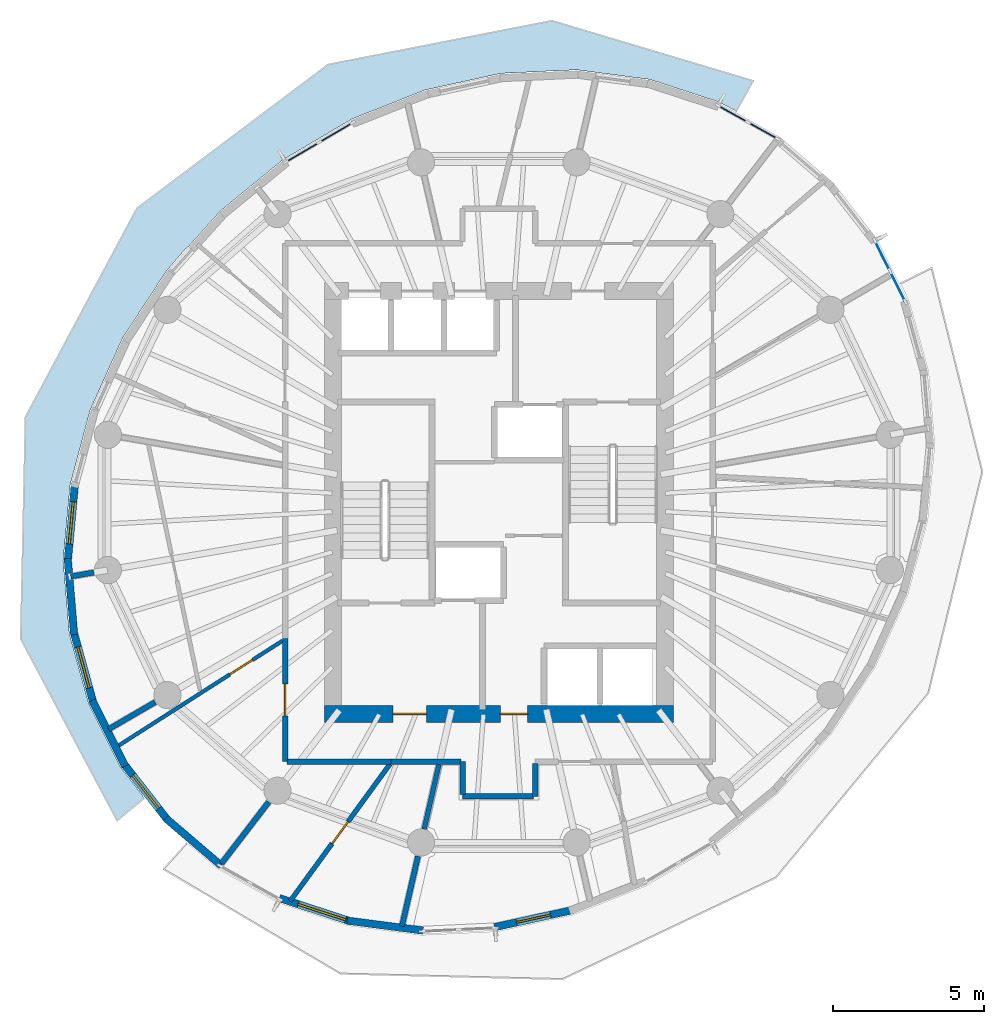
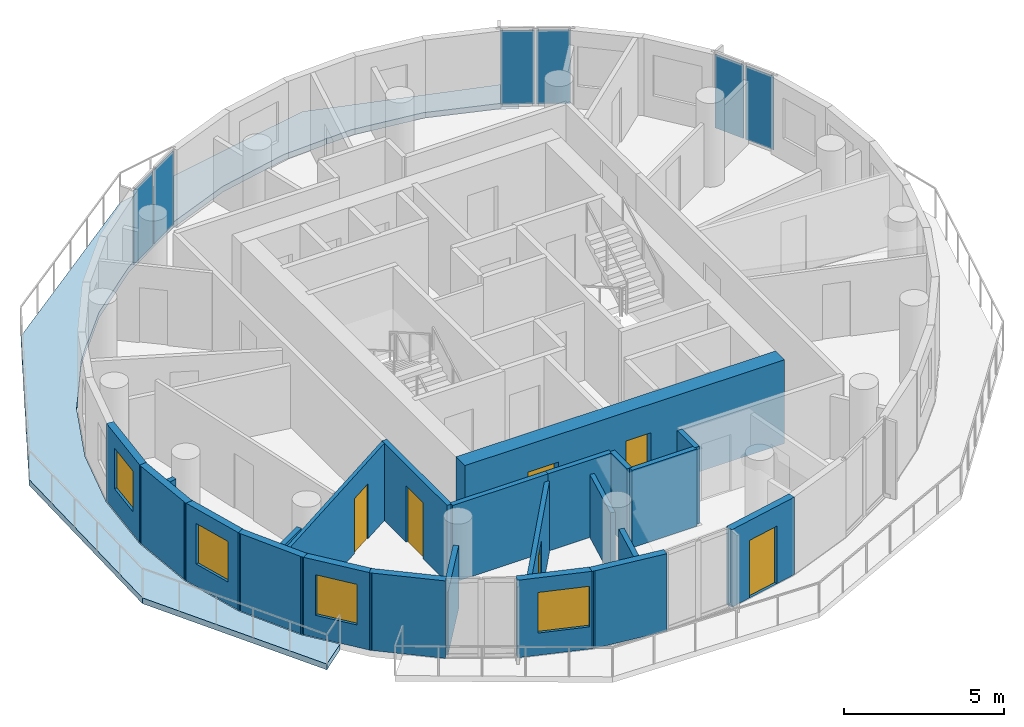
# One storey, part 4 of 10: 23 walls, 6 doors, 6 plates, 4 windows, 1 slab, 10 openings, 3 elements without a shape of their own.
"""IFC4 building model written with IfcOpenShell, lengths in metres."""

from ifc_helpers import new_model, si_unit, direction, frame, frame_2d, origin, origin_2d, place, context, subcontext, project, spatial, polyline, rectangle, outline, extrude, material, layer, layer_set, type_object, element, fill, aggregate, save


model = new_model("IFC4")

# Units and contexts
model_context = context("Model", 3, precision=1e-05, world=origin(), true_north=direction((0.0, 1.0)))
body_context = subcontext(model_context, "Body", "Model", "MODEL_VIEW")
ifc_project = project(units=[si_unit("LENGTHUNIT", "METRE"), si_unit("AREAUNIT", "SQUARE_METRE"), si_unit("VOLUMEUNIT", "CUBIC_METRE"), si_unit("PLANEANGLEUNIT", "RADIAN"), si_unit("MASSUNIT", "GRAM", prefix="KILO")], contexts=[model_context])

# Site, building, storey
site_placement = place(None, origin())
site = spatial("IfcSite", under=ifc_project, at=site_placement, CompositionType="ELEMENT")
building_placement = place(site_placement, origin())
building = spatial("IfcBuilding", under=site, at=building_placement, Name="Veldorim Arch Residences", CompositionType="ELEMENT")
storey_placement = place(building_placement, frame((0.0, 0.0, 179.0400390625)))
storey = spatial("IfcBuildingStorey", under=building, at=storey_placement, Name="L53", CompositionType="ELEMENT", Elevation=179.0400390625)

# Slab
ifc_material_1 = material(Name="Concrete C40/50", Category="concrete")
ifc_layer_1 = layer(ifc_material_1, 0.219970703125, Name="Planted Crescent Cantilever Balcony Slab 220")
ifc_layer_set_1 = layer_set([ifc_layer_1], Name="Concrete C40/50")
slab_type = type_object("IfcSlabType", Name="Planted Crescent Cantilever Balcony Slab 220", PredefinedType="FLOOR", material=ifc_layer_set_1)
slab_placement = place(storey_placement, frame((0.0, 0.0, -0.219970703125)))
element("IfcSlab", 1, at=slab_placement, inside=storey, type_object=slab_type, Name="L53 planted crescent balcony slab A", PredefinedType="FLOOR", context=body_context, shape_type="SweptSolid", body=[
    extrude(outline(polyline([(39.86279296875, 36.956298828125), (39.275146484375, 37.260009765625), (37.001220703125, 38.00390625), (34.575439453125, 38.322265625), (33.7724609375, 38.284912109375), (33.6787109375, 38.30517578125), (33.556640625, 38.274658203125), (32.071533203125, 38.205322265625), (29.565673828125, 37.65673828125), (27.134033203125, 36.693359375), (24.85009765625, 35.3447265625), (22.783447265625, 33.651123046875), (21.719482421875, 32.46826171875), (21.622802734375, 32.393310546875), (20.99658203125, 31.664794921875), (19.544189453125, 29.445556640625), (18.469970703125, 27.060791015625), (17.806396484375, 24.582763671875), (17.57421875, 22.087158203125), (17.780517578125, 19.649169921875), (18.4189453125, 17.343505859375), (19.47021484375, 15.23974609375), (20.19482421875, 14.309814453125), (20.247314453125, 14.18994140625), (19.357177734375, 13.4619140625), (16.16650390625, 19.47705078125), (16.323974609375, 26.832275390625), (20.01220703125, 33.740966796875), (26.34228515625, 38.499267578125), (33.7568359375, 39.950927734375), (40.422607421875, 37.9609375), (39.86279296875, 36.956298828125)])), origin(), (0.0, 0.0, 1.0), 0.219970703125),
])

# Curtain wall, plates
ifc_material_2 = material(Name="Aluminium", Category="aluminium")
curtain_wall_type = type_object("IfcCurtainWallType", Name="Zone 4 High-Altitude Unitised Curtain Wall", PredefinedType="NOTDEFINED", material=ifc_material_2)
curtain_wall_1_placement = place(storey_placement, origin())
curtain_wall_1 = element("IfcCurtainWall", 2, at=curtain_wall_1_placement, inside=storey, type_object=curtain_wall_type, Name="L53 unitised curtain wall bay 02", PredefinedType="NOTDEFINED")
ifc_material_3 = material(Name="Laminated Low-E Glass", Category="glass")
ifc_layer_2 = layer(ifc_material_3, 0.030029296875, Name="Zone 4 High-Altitude Unitised Curtain Wall Glazing Panel 30")
ifc_layer_set_2 = layer_set([ifc_layer_2], Name="Laminated Low-E Glass")
plate_type = type_object("IfcPlateType", Name="Zone 4 High-Altitude Unitised Curtain Wall Glazing Panel 30", PredefinedType="CURTAIN_PANEL", material=ifc_layer_set_2)
plate_1_placement = place(storey_placement, frame((39.749755859375, 36.86328125, 0.074951171875), z_axis=(0.0, 0.0, 1.0), x_axis=(0.872990977539, -0.487736356175, 0.0)))
plate_1 = element("IfcPlate", 3, at=plate_1_placement, type_object=plate_type, Name="CW-Z4 panel 1.1", PredefinedType="CURTAIN_PANEL", context=body_context, shape_type="SweptSolid", body=[
    extrude(rectangle(XDim=1.060791015625, YDim=0.030029296875, at=origin_2d()), origin(), (0.0, 0.0, 1.0), 2.81005859375),
])
plate_2_placement = place(storey_placement, frame((40.741455078125, 36.30908203125, 0.074951171875), z_axis=(0.0, 0.0, 1.0), x_axis=(0.872990977539, -0.487736356175, 0.0)))
plate_2 = element("IfcPlate", 4, at=plate_2_placement, type_object=plate_type, Name="CW-Z4 panel 2.1", PredefinedType="CURTAIN_PANEL", context=body_context, shape_type="SweptSolid", body=[
    extrude(rectangle(XDim=1.060791015625, YDim=0.030029296875, at=origin_2d()), origin(), (0.0, 0.0, 1.0), 2.81005859375),
])
aggregate(curtain_wall_1, [plate_1, plate_2])

curtain_wall_2_placement = place(storey_placement, origin())
curtain_wall_2 = element("IfcCurtainWall", 5, at=curtain_wall_2_placement, inside=storey, type_object=curtain_wall_type, Name="L53 unitised curtain wall bay 08", PredefinedType="NOTDEFINED")
plate_3_placement = place(storey_placement, frame((25.49658203125, 35.5927734375, 0.074951171875), z_axis=(0.0, 0.0, 1.0), x_axis=(0.861053534494, 0.508514317139, 0.0)))
plate_3 = element("IfcPlate", 6, at=plate_3_placement, type_object=plate_type, Name="CW-Z4 panel 1.1", PredefinedType="CURTAIN_PANEL", context=body_context, shape_type="SweptSolid", body=[
    extrude(rectangle(XDim=1.211669921875, YDim=0.030029296875, at=origin_2d()), origin(), (0.0, 0.0, 1.0), 2.81005859375),
])
plate_4_placement = place(storey_placement, frame((26.6044921875, 36.2470703125, 0.074951171875), z_axis=(0.0, 0.0, 1.0), x_axis=(0.861053534494, 0.508514317139, 0.0)))
plate_4 = element("IfcPlate", 7, at=plate_4_placement, type_object=plate_type, Name="CW-Z4 panel 2.1", PredefinedType="CURTAIN_PANEL", context=body_context, shape_type="SweptSolid", body=[
    extrude(rectangle(XDim=1.211669921875, YDim=0.030029296875, at=origin_2d()), origin(), (0.0, 0.0, 1.0), 2.81005859375),
])
aggregate(curtain_wall_2, [plate_3, plate_4])

curtain_wall_3_placement = place(storey_placement, origin())
curtain_wall_3 = element("IfcCurtainWall", 8, at=curtain_wall_3_placement, inside=storey, type_object=curtain_wall_type, Name="L53 unitised curtain wall bay 35", PredefinedType="NOTDEFINED")
plate_5_placement = place(storey_placement, frame((44.69873046875, 32.1650390625, 0.074951171875), z_axis=(0.0, 0.0, 1.0), x_axis=(0.446992003276, -0.894537952804, 0.0)))
plate_5 = element("IfcPlate", 9, at=plate_5_placement, type_object=plate_type, Name="CW-Z4 panel 1.1", PredefinedType="CURTAIN_PANEL", context=body_context, shape_type="SweptSolid", body=[
    extrude(rectangle(XDim=1.060791015625, YDim=0.030029296875, at=origin_2d()), origin(), (0.0, 0.0, 1.0), 2.81005859375),
])
plate_6_placement = place(storey_placement, frame((45.20654296875, 31.14892578125, 0.074951171875), z_axis=(0.0, 0.0, 1.0), x_axis=(0.446992003276, -0.894537952804, 0.0)))
plate_6 = element("IfcPlate", 10, at=plate_6_placement, type_object=plate_type, Name="CW-Z4 panel 2.1", PredefinedType="CURTAIN_PANEL", context=body_context, shape_type="SweptSolid", body=[
    extrude(rectangle(XDim=1.060791015625, YDim=0.030029296875, at=origin_2d()), origin(), (0.0, 0.0, 1.0), 2.81005859375),
])
aggregate(curtain_wall_3, [plate_5, plate_6])

# Wall, opening, door
ifc_material_4 = material(Name="Acoustic Gypsum Board", Category="gypsum")
ifc_layer_3 = layer(ifc_material_4, 0.125, Name="Acoustic Stud Room Partition Wall 125")
ifc_layer_set_3 = layer_set([ifc_layer_3], Name="Acoustic Gypsum Board")
wall_type_1 = type_object("IfcWallType", Name="Acoustic Stud Room Partition Wall 125", PredefinedType="PARTITIONING", material=ifc_layer_set_3)
wall_1_placement = place(storey_placement, frame((19.326416015625, 15.896240234375, 0.0), z_axis=(0.0, 0.0, 1.0), x_axis=(0.842495759882, 0.538702974357, 0.0)))
wall_1 = element("IfcWall", 11, at=wall_1_placement, inside=storey, type_object=wall_type_1, Name="L53 interior wall WL-RES-L53-031", PredefinedType="PARTITIONING", context=body_context, shape_type="SweptSolid", body=[
    extrude(rectangle(XDim=6.539306640625, YDim=0.125, at=frame_2d((3.26953125, 0.0))), origin(), (0.0, 0.0, 1.0), 2.955078125),
])
opening_1_placement = place(wall_1_placement, frame((4.469482421875, 0.0, 0.0)))
opening_1 = element("IfcOpeningElement", 12, at=opening_1_placement, cuts=wall_1, Name="Opening DR-INT", PredefinedType="OPENING", context=body_context, shape_type="SweptSolid", body=[
    extrude(rectangle(XDim=0.89990234375, YDim=2.10009765625, at=frame_2d((0.449951171875, 1.050048828125))), frame((0.0, 0.072509765625, 0.0), z_axis=(0.0, -1.0, 0.0), x_axis=(1.0, 0.0, 0.0)), (0.0, 0.0, 1.0), 0.14501953125),
])
ifc_material_5 = material(Name="Engineered Timber", Category="wood")
door_type_1 = type_object("IfcDoorType", Name="Apartment Internal Room Timber Door 900x2100", OperationType="SINGLE_SWING_LEFT", PredefinedType="DOOR", material=ifc_material_5)
door_1_placement = place(opening_1_placement, origin())
door_1 = element("IfcDoor", 13, at=door_1_placement, inside=storey, type_object=door_type_1, Name="L53 interior door DR-RES-L53-016", OperationType="SINGLE_SWING_RIGHT", OverallHeight=2.10009765625, OverallWidth=0.89990234375, PredefinedType="DOOR", context=body_context, shape_type="SweptSolid", body=[
    extrude(rectangle(XDim=0.89990234375, YDim=2.10009765625, at=frame_2d((0.449951171875, 1.050048828125))), frame((0.0, 0.02490234375, 0.0), z_axis=(0.0, -1.0, 0.0), x_axis=(1.0, 0.0, 0.0)), (0.0, 0.0, 1.0), 0.050048828125),
])
fill(opening_1, door_1)

# Walls
ifc_material_6 = material(Name="Lightweight Masonry Block & Gypsum", Category="masonry")
ifc_layer_4 = layer(ifc_material_6, 0.179931640625, Name="Compartment & Corridor Fire-Rated Party Wall 180")
ifc_layer_set_4 = layer_set([ifc_layer_4], Name="Lightweight Masonry Block & Gypsum")
wall_type_2 = type_object("IfcWallType", Name="Compartment & Corridor Fire-Rated Party Wall 180", PredefinedType="PARTITIONING", material=ifc_layer_set_4)
wall_2_placement = place(storey_placement, frame((18.590576171875, 21.680419921875, 0.0), z_axis=(0.0, 0.0, 1.0), x_axis=(-0.985363715758, -0.170465092225, 0.0)))
element("IfcWall", 14, at=wall_2_placement, inside=storey, type_object=wall_type_2, Name="L53 interior wall WL-PIER-L53-09", PredefinedType="PARTITIONING", context=body_context, shape_type="SweptSolid", body=[
    extrude(rectangle(XDim=0.7763671875, YDim=0.179931640625, at=frame_2d((0.38818359375, 0.0))), origin(), (0.0, 0.0, 1.0), 2.4033203125),
])
wall_3_placement = place(storey_placement, frame((20.6181640625, 17.385986328125, 0.0), z_axis=(0.0, 0.0, 1.0), x_axis=(-0.86456661279, -0.502518230563, 0.0)))
element("IfcWall", 15, at=wall_3_placement, inside=storey, type_object=wall_type_2, Name="L53 interior wall WL-PIER-L53-10", PredefinedType="PARTITIONING", context=body_context, shape_type="SweptSolid", body=[
    extrude(rectangle(XDim=1.784912109375, YDim=0.179931640625, at=frame_2d((0.892578125, 0.0))), origin(), (0.0, 0.0, 1.0), 2.4033203125),
])
wall_4_placement = place(storey_placement, frame((24.380126953125, 14.08203125, 0.0), z_axis=(0.0, 0.0, 1.0), x_axis=(-0.609164681512, -0.793043750873, 0.0)))
element("IfcWall", 16, at=wall_4_placement, inside=storey, type_object=wall_type_2, Name="L53 interior wall WL-PIER-L53-11", PredefinedType="PARTITIONING", context=body_context, shape_type="SweptSolid", body=[
    extrude(rectangle(XDim=2.57177734375, YDim=0.179931640625, at=frame_2d((1.285888671875, 0.0))), origin(), (0.0, 0.0, 1.0), 2.4033203125),
])
wall_5_placement = place(storey_placement, frame((29.320068359375, 12.282470703125, 0.0), z_axis=(0.0, 0.0, 1.0), x_axis=(-0.223011847659, -0.974815734282, 0.0)))
element("IfcWall", 17, at=wall_5_placement, inside=storey, type_object=wall_type_2, Name="L53 interior wall WL-PIER-L53-12", PredefinedType="PARTITIONING", context=body_context, shape_type="SweptSolid", body=[
    extrude(rectangle(XDim=2.37451171875, YDim=0.179931640625, at=frame_2d((1.187255859375, 0.0))), origin(), (0.0, 0.0, 1.0), 2.4033203125),
])
wall_6_placement = place(storey_placement, frame((33.199951171875, 15.360107421875, 0.0), z_axis=(0.0, 0.0, 1.0), x_axis=(0.0, -1.0, 0.0)))
element("IfcWall", 18, at=wall_6_placement, inside=storey, type_object=wall_type_2, Name="L53 interior wall WL-RES-L53-002", PredefinedType="PARTITIONING", context=body_context, shape_type="SweptSolid", body=[
    extrude(rectangle(XDim=1.090087890625, YDim=0.179931640625, at=frame_2d((0.544921875, 0.0))), origin(), (0.0, 0.0, 1.0), 2.955078125),
])
wall_7_placement = place(storey_placement, frame((33.139892578125, 14.27001953125, 0.0), z_axis=(0.0, 0.0, 1.0), x_axis=(-1.0, 0.0, 0.0)))
element("IfcWall", 19, at=wall_7_placement, inside=storey, type_object=wall_type_2, Name="L53 interior wall WL-RES-L53-003", PredefinedType="PARTITIONING", context=body_context, shape_type="SweptSolid", body=[
    extrude(rectangle(XDim=2.33984375, YDim=0.179931640625, at=frame_2d((1.169921875, 0.0))), origin(), (0.0, 0.0, 1.0), 2.955078125),
])
wall_8_placement = place(storey_placement, frame((30.800048828125, 14.330078125, 0.0), z_axis=(0.0, 0.0, 1.0), x_axis=(0.0, 1.0, 0.0)))
element("IfcWall", 20, at=wall_8_placement, inside=storey, type_object=wall_type_2, Name="L53 interior wall WL-RES-L53-004", PredefinedType="PARTITIONING", context=body_context, shape_type="SweptSolid", body=[
    extrude(rectangle(XDim=1.08984375, YDim=0.179931640625, at=frame_2d((0.544921875, 0.0))), origin(), (0.0, 0.0, 1.0), 2.955078125),
])
wall_9_placement = place(storey_placement, frame((30.739990234375, 15.419921875, 0.0), z_axis=(0.0, 0.0, 1.0), x_axis=(-1.0, 0.0, 0.0)))
element("IfcWall", 21, at=wall_9_placement, inside=storey, type_object=wall_type_2, Name="L53 interior wall WL-RES-L53-005", PredefinedType="PARTITIONING", context=body_context, shape_type="SweptSolid", body=[
    extrude(rectangle(XDim=2.309326171875, YDim=0.179931640625, at=frame_2d((1.15478515625, 0.0))), origin(), (0.0, 0.0, 1.0), 2.955078125),
])

# Wall, opening, door
wall_10_placement = place(storey_placement, frame((24.919921875, 15.419921875, 0.0), z_axis=(0.0, 0.0, 1.0), x_axis=(0.0, 1.0, 0.0)))
wall_10 = element("IfcWall", 22, at=wall_10_placement, inside=storey, type_object=wall_type_2, Name="L53 interior wall WL-RES-L53-014", PredefinedType="PARTITIONING", context=body_context, shape_type="SweptSolid", body=[
    extrude(rectangle(XDim=4.072998046875, YDim=0.179931640625, at=frame_2d((2.03662109375, 0.0))), origin(), (0.0, 0.0, 1.0), 2.955078125),
])
opening_2_placement = place(wall_10_placement, frame((1.511474609375, 0.0, 0.0)))
opening_2 = element("IfcOpeningElement", 23, at=opening_2_placement, cuts=wall_10, Name="Opening DR-FLT", PredefinedType="OPENING", context=body_context, shape_type="SweptSolid", body=[
    extrude(rectangle(XDim=1.050048828125, YDim=2.14990234375, at=frame_2d((0.52490234375, 1.074951171875))), frame((0.0, 0.099853515625, 0.0), z_axis=(0.0, -1.0, 0.0), x_axis=(1.0, 0.0, 0.0)), (0.0, 0.0, 1.0), 0.199951171875),
])
ifc_material_7 = material(Name="Fire-Rated Timber", Category="wood")
door_type_2 = type_object("IfcDoorType", Name="Apartment Entrance Solid-Core Fire Door 1050x2150", OperationType="SINGLE_SWING_LEFT", PredefinedType="DOOR", material=ifc_material_7)
door_2_placement = place(opening_2_placement, origin())
door_2 = element("IfcDoor", 24, at=door_2_placement, inside=storey, type_object=door_type_2, Name="L53 interior door DR-RES-L53-014", OperationType="SINGLE_SWING_RIGHT", OverallHeight=2.14990234375, OverallWidth=1.050048828125, PredefinedType="DOOR", context=body_context, shape_type="SweptSolid", body=[
    extrude(rectangle(XDim=1.050048828125, YDim=2.14990234375, at=frame_2d((0.52490234375, 1.074951171875))), frame((0.0, 0.02490234375, 0.0), z_axis=(0.0, -1.0, 0.0), x_axis=(1.0, 0.0, 0.0)), (0.0, 0.0, 1.0), 0.050048828125),
])
fill(opening_2, door_2)

# Wall
wall_11_placement = place(storey_placement, frame((28.475341796875, 15.419921875, 0.0), z_axis=(0.0, 0.0, 1.0), x_axis=(-1.0, 0.0, 0.0)))
element("IfcWall", 25, at=wall_11_placement, inside=storey, type_object=wall_type_2, Name="L53 interior wall WL-RES-L53-015", PredefinedType="PARTITIONING", context=body_context, shape_type="SweptSolid", body=[
    extrude(rectangle(XDim=3.495361328125, YDim=0.179931640625, at=frame_2d((1.74755859375, 0.0))), origin(), (0.0, 0.0, 1.0), 2.955078125),
])

# Wall, opening, window
ifc_material_8 = material(Name="Precast concrete C40/50", Category="concrete")
ifc_layer_5 = layer(ifc_material_8, 0.25, Name="Tower Terracotta Spandrel & Pier Wall 250")
ifc_layer_set_5 = layer_set([ifc_layer_5], Name="Precast concrete C40/50")
wall_type_3 = type_object("IfcWallType", Name="Tower Terracotta Spandrel & Pier Wall 250", PredefinedType="SOLIDWALL", material=ifc_layer_set_5)
wall_12_placement = place(storey_placement, frame((17.7197265625, 22.030517578125, 0.0), z_axis=(0.0, 0.0, 1.0), x_axis=(0.092582110032, 0.995705053167, 0.0)))
wall_12 = element("IfcWall", 26, at=wall_12_placement, inside=storey, type_object=wall_type_3, Name="L53 terracotta facade wall 14", PredefinedType="SOLIDWALL", context=body_context, shape_type="SweptSolid", body=[
    extrude(rectangle(XDim=2.59228515625, YDim=0.25, at=frame_2d((1.296142578125, 0.0))), origin(), (0.0, 0.0, 1.0), 2.9599609375),
])
opening_3_placement = place(wall_12_placement, frame((0.595947265625, 0.0, 0.85009765625)))
opening_3 = element("IfcOpeningElement", 27, at=opening_3_placement, cuts=wall_12, Name="Opening WN-02", PredefinedType="OPENING", context=body_context, shape_type="SweptSolid", body=[
    extrude(rectangle(XDim=1.39990234375, YDim=1.550048828125, at=frame_2d((0.699951171875, 0.77490234375))), frame((0.0, 0.135009765625, 0.0), z_axis=(0.0, -1.0, 0.0), x_axis=(1.0, 0.0, 0.0)), (0.0, 0.0, 1.0), 0.27001953125),
])
ifc_material_9 = material(Name="Laminated Low-E Glass", Category="glass")
window_type_1 = type_object("IfcWindowType", Name="Residential Casement Window 1400x1550", PartitioningType="SINGLE_PANEL", PredefinedType="WINDOW", material=ifc_material_9)
window_1_placement = place(opening_3_placement, origin())
window_1 = element("IfcWindow", 28, at=window_1_placement, inside=storey, type_object=window_type_1, Name="L53 solar-control facade window 14", OverallHeight=1.550048828125, OverallWidth=1.39990234375, PartitioningType="SINGLE_PANEL", PredefinedType="WINDOW", context=body_context, shape_type="SweptSolid", body=[
    extrude(rectangle(XDim=1.39990234375, YDim=1.550048828125, at=frame_2d((0.699951171875, 0.77490234375))), frame((0.0, 0.030029296875, 0.0), z_axis=(0.0, -1.0, 0.0), x_axis=(1.0, 0.0, 0.0)), (0.0, 0.0, 1.0), 0.06005859375),
])
fill(opening_3, window_1)

# Wall
wall_13_placement = place(storey_placement, frame((17.93359375, 19.619384765625, 0.0), z_axis=(0.0, 0.0, 1.0), x_axis=(-0.084274320236, 0.996442591898, 0.0)))
element("IfcWall", 29, at=wall_13_placement, inside=storey, type_object=wall_type_3, Name="L53 terracotta facade wall 15", PredefinedType="SOLIDWALL", context=body_context, shape_type="SweptSolid", body=[
    extrude(rectangle(XDim=2.531982421875, YDim=0.25, at=frame_2d((1.26611328125, 0.0))), origin(), (0.0, 0.0, 1.0), 2.9599609375),
])

# Wall, opening, window
wall_14_placement = place(storey_placement, frame((18.57470703125, 17.34228515625, 0.0), z_axis=(0.0, 0.0, 1.0), x_axis=(-0.266734060973, 0.96377017007, 0.0)))
wall_14 = element("IfcWall", 30, at=wall_14_placement, inside=storey, type_object=wall_type_3, Name="L53 terracotta facade wall 16", PredefinedType="SOLIDWALL", context=body_context, shape_type="SweptSolid", body=[
    extrude(rectangle(XDim=2.477783203125, YDim=0.25, at=frame_2d((1.23876953125, 0.0))), origin(), (0.0, 0.0, 1.0), 2.9599609375),
])
opening_4_placement = place(wall_14_placement, frame((0.5390625, 0.0, 0.85009765625)))
opening_4 = element("IfcOpeningElement", 31, at=opening_4_placement, cuts=wall_14, Name="Opening WN-02", PredefinedType="OPENING", context=body_context, shape_type="SweptSolid", body=[
    extrude(rectangle(XDim=1.39990234375, YDim=1.550048828125, at=frame_2d((0.699951171875, 0.77490234375))), frame((0.0, 0.135009765625, 0.0), z_axis=(0.0, -1.0, 0.0), x_axis=(1.0, 0.0, 0.0)), (0.0, 0.0, 1.0), 0.27001953125),
])
window_2_placement = place(opening_4_placement, origin())
window_2 = element("IfcWindow", 32, at=window_2_placement, inside=storey, type_object=window_type_1, Name="L53 solar-control facade window 16", OverallHeight=1.550048828125, OverallWidth=1.39990234375, PartitioningType="SINGLE_PANEL", PredefinedType="WINDOW", context=body_context, shape_type="SweptSolid", body=[
    extrude(rectangle(XDim=1.39990234375, YDim=1.550048828125, at=frame_2d((0.699951171875, 0.77490234375))), frame((0.0, 0.030029296875, 0.0), z_axis=(0.0, -1.0, 0.0), x_axis=(1.0, 0.0, 0.0)), (0.0, 0.0, 1.0), 0.06005859375),
])
fill(opening_4, window_2)

# Wall
wall_15_placement = place(storey_placement, frame((19.623291015625, 15.268798828125, 0.0), z_axis=(0.0, 0.0, 1.0), x_axis=(-0.447053282344, 0.894507329621, 0.0)))
element("IfcWall", 33, at=wall_15_placement, inside=storey, type_object=wall_type_3, Name="L53 terracotta facade wall 17", PredefinedType="SOLIDWALL", context=body_context, shape_type="SweptSolid", body=[
    extrude(rectangle(XDim=2.436767578125, YDim=0.25, at=frame_2d((1.21826171875, 0.0))), origin(), (0.0, 0.0, 1.0), 2.9599609375),
])

# Wall, opening, window
wall_16_placement = place(storey_placement, frame((21.046630859375, 13.460693359375, 0.0), z_axis=(0.0, 0.0, 1.0), x_axis=(-0.61468225386, 0.788774826417, 0.0)))
wall_16 = element("IfcWall", 34, at=wall_16_placement, inside=storey, type_object=wall_type_3, Name="L53 terracotta facade wall 18", PredefinedType="SOLIDWALL", context=body_context, shape_type="SweptSolid", body=[
    extrude(rectangle(XDim=2.414794921875, YDim=0.25, at=frame_2d((1.20751953125, 0.0))), origin(), (0.0, 0.0, 1.0), 2.9599609375),
])
opening_5_placement = place(wall_16_placement, frame((0.507080078125, 0.0, 0.85009765625)))
opening_5 = element("IfcOpeningElement", 35, at=opening_5_placement, cuts=wall_16, Name="Opening WN-02", PredefinedType="OPENING", context=body_context, shape_type="SweptSolid", body=[
    extrude(rectangle(XDim=1.39990234375, YDim=1.550048828125, at=frame_2d((0.699951171875, 0.77490234375))), frame((0.0, 0.135009765625, 0.0), z_axis=(0.0, -1.0, 0.0), x_axis=(1.0, 0.0, 0.0)), (0.0, 0.0, 1.0), 0.27001953125),
])
window_3_placement = place(opening_5_placement, origin())
window_3 = element("IfcWindow", 36, at=window_3_placement, inside=storey, type_object=window_type_1, Name="L53 solar-control facade window 18", OverallHeight=1.550048828125, OverallWidth=1.39990234375, PartitioningType="SINGLE_PANEL", PredefinedType="WINDOW", context=body_context, shape_type="SweptSolid", body=[
    extrude(rectangle(XDim=1.39990234375, YDim=1.550048828125, at=frame_2d((0.699951171875, 0.77490234375))), frame((0.0, 0.030029296875, 0.0), z_axis=(0.0, -1.0, 0.0), x_axis=(1.0, 0.0, 0.0)), (0.0, 0.0, 1.0), 0.06005859375),
])
fill(opening_5, window_3)

# Wall
wall_17_placement = place(storey_placement, frame((22.8017578125, 11.97314453125, 0.0), z_axis=(0.0, 0.0, 1.0), x_axis=(-0.759591927835, 0.65039995631, 0.0)))
element("IfcWall", 37, at=wall_17_placement, inside=storey, type_object=wall_type_3, Name="L53 terracotta facade wall 19", PredefinedType="SOLIDWALL", context=body_context, shape_type="SweptSolid", body=[
    extrude(rectangle(XDim=2.414794921875, YDim=0.25, at=frame_2d((1.20751953125, 0.0))), origin(), (0.0, 0.0, 1.0), 2.9599609375),
])

# Wall, opening, window
wall_18_placement = place(storey_placement, frame((27.0859375, 10.125244140625, 0.0), z_axis=(0.0, 0.0, 1.0), x_axis=(-0.950422545433, 0.310961388491, 0.0)))
wall_18 = element("IfcWall", 38, at=wall_18_placement, inside=storey, type_object=wall_type_3, Name="L53 terracotta facade wall 21", PredefinedType="SOLIDWALL", context=body_context, shape_type="SweptSolid", body=[
    extrude(rectangle(XDim=2.477783203125, YDim=0.25, at=frame_2d((1.23876953125, 0.0))), origin(), (0.0, 0.0, 1.0), 2.9599609375),
])
opening_6_placement = place(wall_18_placement, frame((0.175048828125, 0.0, 0.85009765625)))
opening_6 = element("IfcOpeningElement", 39, at=opening_6_placement, cuts=wall_18, Name="Opening WN-03", PredefinedType="OPENING", context=body_context, shape_type="SweptSolid", body=[
    extrude(rectangle(XDim=1.64990234375, YDim=1.550048828125, at=frame_2d((0.824951171875, 0.77490234375))), frame((0.0, 0.135009765625, 0.0), z_axis=(0.0, -1.0, 0.0), x_axis=(1.0, 0.0, 0.0)), (0.0, 0.0, 1.0), 0.27001953125),
])
ifc_material_10 = material(Name="Laminated Low-E Glass", Category="glass")
window_type_2 = type_object("IfcWindowType", Name="Residential Wide Window 1650x1550", PartitioningType="SINGLE_PANEL", PredefinedType="WINDOW", material=ifc_material_10)
window_4_placement = place(opening_6_placement, origin())
window_4 = element("IfcWindow", 40, at=window_4_placement, inside=storey, type_object=window_type_2, Name="L53 solar-control facade window 21", OverallHeight=1.550048828125, OverallWidth=1.64990234375, PartitioningType="SINGLE_PANEL", PredefinedType="WINDOW", context=body_context, shape_type="SweptSolid", body=[
    extrude(rectangle(XDim=1.64990234375, YDim=1.550048828125, at=frame_2d((0.824951171875, 0.77490234375))), frame((0.0, 0.030029296875, 0.0), z_axis=(0.0, -1.0, 0.0), x_axis=(1.0, 0.0, 0.0)), (0.0, 0.0, 1.0), 0.06005859375),
])
fill(opening_6, window_4)

# Wall
wall_19_placement = place(storey_placement, frame((29.486572265625, 9.82080078125, 0.0), z_axis=(0.0, 0.0, 1.0), x_axis=(-0.991491995227, 0.130167674176, 0.0)))
element("IfcWall", 41, at=wall_19_placement, inside=storey, type_object=wall_type_3, Name="L53 terracotta facade wall 22", PredefinedType="SOLIDWALL", context=body_context, shape_type="SweptSolid", body=[
    extrude(rectangle(XDim=2.531982421875, YDim=0.25, at=frame_2d((1.26611328125, 0.0))), origin(), (0.0, 0.0, 1.0), 2.9599609375),
])

# Wall, opening, door
wall_20_placement = place(storey_placement, frame((34.444091796875, 10.498779296875, 0.0), z_axis=(0.0, 0.0, 1.0), x_axis=(-0.976886196324, -0.213760051067, 0.0)))
wall_20 = element("IfcWall", 42, at=wall_20_placement, inside=storey, type_object=wall_type_3, Name="L53 terracotta facade wall 24", PredefinedType="SOLIDWALL", context=body_context, shape_type="SweptSolid", body=[
    extrude(rectangle(XDim=2.65087890625, YDim=0.25, at=frame_2d((1.325439453125, 0.0))), origin(), (0.0, 0.0, 1.0), 2.9599609375),
])
opening_7_placement = place(wall_20_placement, frame((0.7509765625, 0.0, 0.0)))
opening_7 = element("IfcOpeningElement", 43, at=opening_7_placement, cuts=wall_20, Name="Opening BL-DR", PredefinedType="OPENING", context=body_context, shape_type="SweptSolid", body=[
    extrude(rectangle(XDim=1.14990234375, YDim=2.199951171875, at=frame_2d((0.574951171875, 1.10009765625))), frame((0.0, 0.135009765625, 0.0), z_axis=(0.0, -1.0, 0.0), x_axis=(1.0, 0.0, 0.0)), (0.0, 0.0, 1.0), 0.27001953125),
])
ifc_material_11 = material(Name="Aluminium & Low-E Glass", Category="aluminium")
door_type_3 = type_object("IfcDoorType", Name="Glazed Planted Balcony Door 1150x2200", OperationType="SINGLE_SWING_LEFT", PredefinedType="DOOR", material=ifc_material_11)
door_3_placement = place(opening_7_placement, origin())
door_3 = element("IfcDoor", 44, at=door_3_placement, inside=storey, type_object=door_type_3, Name="L53 glazed outdoor terrace door BALC-2", OperationType="SINGLE_SWING_RIGHT", OverallHeight=2.199951171875, OverallWidth=1.14990234375, PredefinedType="DOOR", context=body_context, shape_type="SweptSolid", body=[
    extrude(rectangle(XDim=1.14990234375, YDim=2.199951171875, at=frame_2d((0.574951171875, 1.10009765625))), frame((0.0, 0.02490234375, 0.0), z_axis=(0.0, -1.0, 0.0), x_axis=(1.0, 0.0, 0.0)), (0.0, 0.0, 1.0), 0.050048828125),
])
fill(opening_7, door_3)

# Wall, openings, doors
ifc_material_12 = material(Name="Concrete C50/60", Category="concrete")
ifc_layer_6 = layer(ifc_material_12, 0.5, Name="Upper Central Core Shear Wall 560")
ifc_layer_set_6 = layer_set([ifc_layer_6], Name="Concrete C50/60")
wall_type_4 = type_object("IfcWallType", Name="Upper Central Core Shear Wall 560", PredefinedType="SHEAR", material=ifc_layer_set_6)
wall_21_placement = place(storey_placement, frame((26.219970703125, 17.0, 0.0), z_axis=(0.0, 0.0, 1.0), x_axis=(1.0, 0.0, 0.0)))
wall_21 = element("IfcWall", 45, at=wall_21_placement, inside=storey, type_object=wall_type_4, Name="L53 central core south shear wall", PredefinedType="SHEAR", context=body_context, shape_type="SweptSolid", body=[
    extrude(rectangle(XDim=11.56005859375, YDim=0.56005859375, at=frame_2d((5.780029296875, 0.0))), origin(), (0.0, 0.0, 1.0), 3.199951171875),
])
opening_8_placement = place(wall_21_placement, frame((2.280029296875, 0.0, 0.0)))
opening_8 = element("IfcOpeningElement", 46, at=opening_8_placement, cuts=wall_21, Name="Opening DR-FFL", PredefinedType="OPENING", context=body_context, shape_type="SweptSolid", body=[
    extrude(rectangle(XDim=1.10009765625, YDim=2.14990234375, at=frame_2d((0.550048828125, 1.074951171875))), frame((0.0, 0.2900390625, 0.0), z_axis=(0.0, -1.0, 0.0), x_axis=(1.0, 0.0, 0.0)), (0.0, 0.0, 1.0), 0.580078125),
])
opening_9_placement = place(wall_21_placement, frame((5.830078125, 0.0, 0.0)))
opening_9 = element("IfcOpeningElement", 47, at=opening_9_placement, cuts=wall_21, Name="Opening DR-SVC", PredefinedType="OPENING", context=body_context, shape_type="SweptSolid", body=[
    extrude(rectangle(XDim=0.89990234375, YDim=2.10009765625, at=frame_2d((0.449951171875, 1.050048828125))), frame((0.0, 0.2900390625, 0.0), z_axis=(0.0, -1.0, 0.0), x_axis=(1.0, 0.0, 0.0)), (0.0, 0.0, 1.0), 0.580078125),
])
ifc_material_13 = material(Name="Fire-Rated Steel & Vision Glass", Category="steel")
door_type_4 = type_object("IfcDoorType", Name="Firefighting Lobby Smoke-Stop Fire Door 1100x2150", OperationType="SINGLE_SWING_LEFT", PredefinedType="DOOR", material=ifc_material_13)
door_4_placement = place(opening_8_placement, origin())
door_4 = element("IfcDoor", 48, at=door_4_placement, inside=storey, type_object=door_type_4, Name="L53 interior door DR-L53-FFL1", OperationType="SINGLE_SWING_RIGHT", OverallHeight=2.14990234375, OverallWidth=1.10009765625, PredefinedType="DOOR", context=body_context, shape_type="SweptSolid", body=[
    extrude(rectangle(XDim=1.10009765625, YDim=2.14990234375, at=frame_2d((0.550048828125, 1.074951171875))), frame((0.0, 0.02490234375, 0.0), z_axis=(0.0, -1.0, 0.0), x_axis=(1.0, 0.0, 0.0)), (0.0, 0.0, 1.0), 0.050048828125),
])
fill(opening_8, door_4)
ifc_material_14 = material(Name="Fire-Rated Steel", Category="steel")
door_type_5 = type_object("IfcDoorType", Name="Riser, Shelter & Plant Room Rated Steel Door 900x2100", OperationType="SINGLE_SWING_LEFT", PredefinedType="DOOR", material=ifc_material_14)
door_5_placement = place(opening_9_placement, origin())
door_5 = element("IfcDoor", 49, at=door_5_placement, inside=storey, type_object=door_type_5, Name="L53 interior door DR-L53-COR-ANC", OperationType="SINGLE_SWING_LEFT", OverallHeight=2.10009765625, OverallWidth=0.89990234375, PredefinedType="DOOR", context=body_context, shape_type="SweptSolid", body=[
    extrude(rectangle(XDim=0.89990234375, YDim=2.10009765625, at=frame_2d((0.449951171875, 1.050048828125))), frame((0.0, 0.02490234375, 0.0), z_axis=(0.0, -1.0, 0.0), x_axis=(1.0, 0.0, 0.0)), (0.0, 0.0, 1.0), 0.050048828125),
])
fill(opening_9, door_5)

# Wall
ifc_material_15 = material(Name="Moisture-Resistant Gypsum & Stud", Category="gypsum")
ifc_layer_7 = layer(ifc_material_15, 0.159912109375, Name="Wet-Area Moisture-Resistant Plumbing Wall 160")
ifc_layer_set_7 = layer_set([ifc_layer_7], Name="Moisture-Resistant Gypsum & Stud")
wall_type_5 = type_object("IfcWallType", Name="Wet-Area Moisture-Resistant Plumbing Wall 160", PredefinedType="PLUMBINGWALL", material=ifc_layer_set_7)
wall_22_placement = place(storey_placement, frame((29.525146484375, 13.17919921875, 0.0), z_axis=(0.0, 0.0, 1.0), x_axis=(0.222969522248, 0.974825416241, 0.0)))
element("IfcWall", 50, at=wall_22_placement, inside=storey, type_object=wall_type_5, Name="L53 interior wall WL-RES-L53-017", PredefinedType="PLUMBINGWALL", context=body_context, shape_type="SweptSolid", body=[
    extrude(rectangle(XDim=2.19873046875, YDim=0.159912109375, at=frame_2d((1.099365234375, 0.0))), origin(), (0.0, 0.0, 1.0), 2.4033203125),
])

# Wall, opening, door
wall_23_placement = place(storey_placement, frame((28.396484375, 15.339111328125, 0.0), z_axis=(0.0, 0.0, 1.0), x_axis=(-0.588873823988, -0.808224980696, 0.0)))
wall_23 = element("IfcWall", 51, at=wall_23_placement, inside=storey, type_object=wall_type_5, Name="L53 interior wall WL-RES-L53-030", PredefinedType="PLUMBINGWALL", context=body_context, shape_type="SweptSolid", body=[
    extrude(rectangle(XDim=5.621826171875, YDim=0.159912109375, at=frame_2d((2.81103515625, 0.0))), origin(), (0.0, 0.0, 1.0), 2.69189453125),
])
opening_10_placement = place(wall_23_placement, frame((2.361083984375, 0.0, 0.0)))
opening_10 = element("IfcOpeningElement", 52, at=opening_10_placement, cuts=wall_23, Name="Opening DR-WC", PredefinedType="OPENING", context=body_context, shape_type="SweptSolid", body=[
    extrude(rectangle(XDim=0.89990234375, YDim=2.10009765625, at=frame_2d((0.449951171875, 1.050048828125))), frame((0.0, 0.08984375, 0.0), z_axis=(0.0, -1.0, 0.0), x_axis=(1.0, 0.0, 0.0)), (0.0, 0.0, 1.0), 0.179931640625),
])
ifc_material_16 = material(Name="Laminate Timber", Category="wood")
door_type_6 = type_object("IfcDoorType", Name="Bathroom & Accessible WC Moisture-Sealed Door 900x2100", OperationType="SINGLE_SWING_LEFT", PredefinedType="DOOR", material=ifc_material_16)
door_6_placement = place(opening_10_placement, origin())
door_6 = element("IfcDoor", 53, at=door_6_placement, inside=storey, type_object=door_type_6, Name="L53 interior door DR-RES-L53-015", OperationType="SINGLE_SWING_LEFT", OverallHeight=2.10009765625, OverallWidth=0.89990234375, PredefinedType="DOOR", context=body_context, shape_type="SweptSolid", body=[
    extrude(rectangle(XDim=0.89990234375, YDim=2.10009765625, at=frame_2d((0.449951171875, 1.050048828125))), frame((0.0, 0.02490234375, 0.0), z_axis=(0.0, -1.0, 0.0), x_axis=(1.0, 0.0, 0.0)), (0.0, 0.0, 1.0), 0.050048828125),
])
fill(opening_10, door_6)

save(model, "model.ifc")
